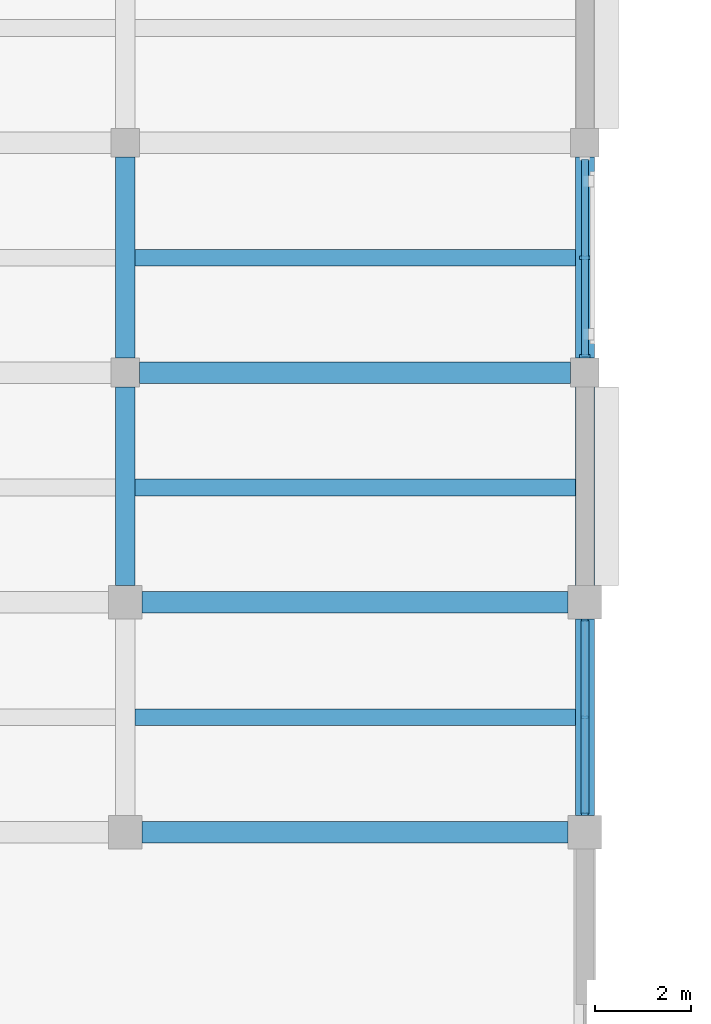
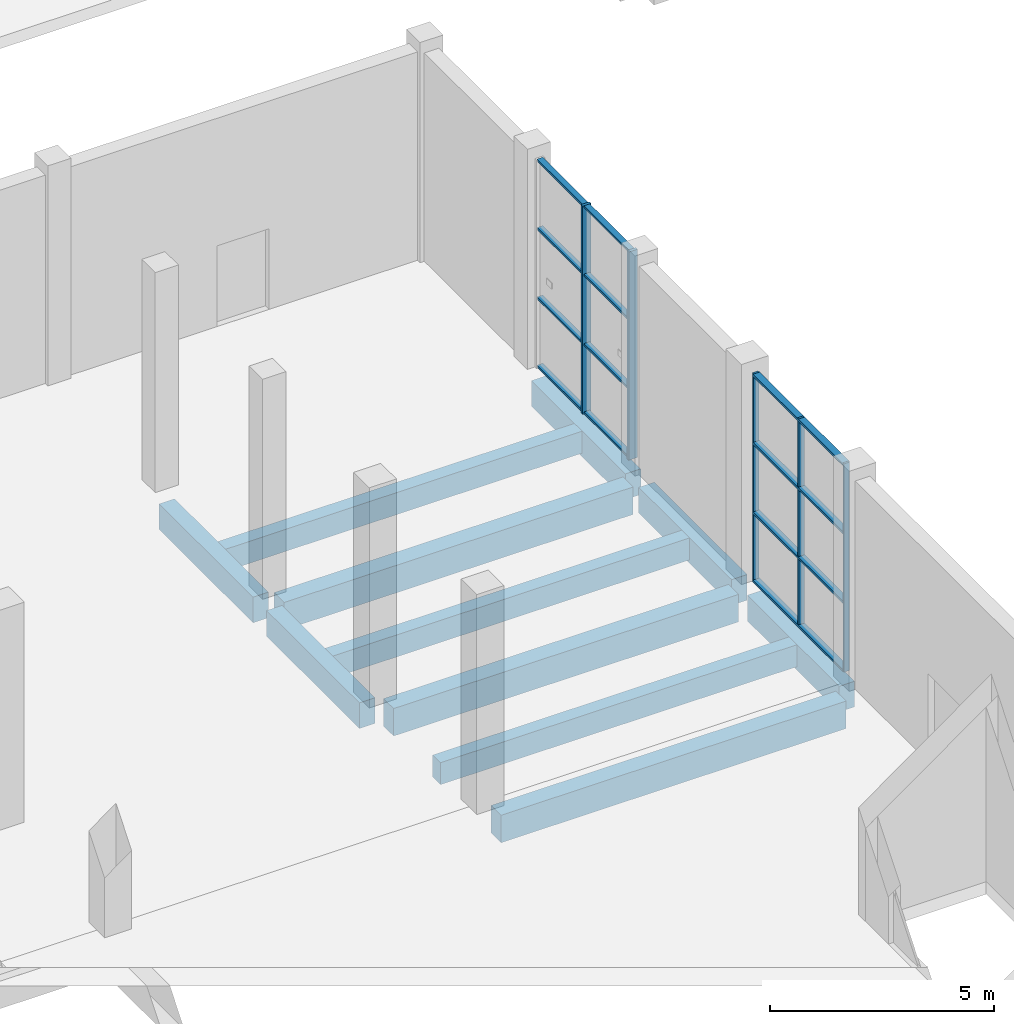
# One storey, part 14 of 84: 13 members, 11 beams, 2 elements without a shape of their own.
"""IFC4 building model written with IfcOpenShell, lengths in metres."""

from ifc_helpers import new_model, si_unit, direction, frame, origin, origin_2d, place, context, subcontext, project, spatial, rectangle, extrude, material, material_profile, profile_set, type_object, element, aggregate, save


model = new_model("IFC4")

# Units and contexts
model_context = context("Model", 3, precision=1e-05, world=origin(), true_north=direction((0.0, 1.0)))
body_context = subcontext(model_context, "Body", "Model", "MODEL_VIEW")
ifc_project = project(units=[si_unit("LENGTHUNIT", "METRE"), si_unit("AREAUNIT", "SQUARE_METRE"), si_unit("VOLUMEUNIT", "CUBIC_METRE"), si_unit("PLANEANGLEUNIT", "RADIAN"), si_unit("MASSUNIT", "GRAM", prefix="KILO")], contexts=[model_context])

# Site, building, storey
site_placement = place(None, origin())
site = spatial("IfcSite", under=ifc_project, at=site_placement, CompositionType="ELEMENT")
building_placement = place(site_placement, origin())
building = spatial("IfcBuilding", under=site, at=building_placement, Name="Shalvenor Court Art Gallery", CompositionType="ELEMENT")
storey_placement = place(building_placement, origin())
storey = spatial("IfcBuildingStorey", under=building, at=storey_placement, Name="L00", CompositionType="ELEMENT", Elevation=0.0)

# Beams
ifc_material_1 = material(Name="Concrete C40/50", Category="concrete")
ifc_material_profile_1 = material_profile(ifc_material_1, rectangle(XDim=0.449951171875, YDim=0.75, at=origin_2d()), Name="RC 450x750")
ifc_profile_set_1 = profile_set([ifc_material_profile_1], Name="Concrete C40/50")
beam_type_1 = type_object("IfcBeamType", Name="B-04", PredefinedType="BEAM", material=ifc_profile_set_1)
for number, where, z_axis, x_axis, name in (
    (1, (115.550048828125, 19.199951171875, -0.715087890625), (1.0, 0.0, 0.0), (0.0, 1.0, 0.0), "L00 Girder BM-L00-B-04-0166"),
    (2, (115.550048828125, 24.0, -0.715087890625), (1.0, 0.0, 0.0), (0.0, 1.0, 0.0), "L00 Girder BM-L00-B-04-0169"),
):
    element("IfcBeam", number, at=place(storey_placement, frame(where, z_axis=z_axis, x_axis=x_axis)), inside=storey, type_object=beam_type_1, Name=name, PredefinedType="BEAM", context=body_context, shape_type="SweptSolid", body=[
        extrude(rectangle(XDim=0.449951171875, YDim=0.75, at=origin_2d()), origin(), (0.0, 0.0, 1.0), 8.89990234375),
    ])
beam_1_placement = place(storey_placement, frame((115.5, 28.800048828125, -0.715087890625), z_axis=(1.0, 0.0, 0.0), x_axis=(0.0, 1.0, 0.0)))
element("IfcBeam", 3, at=beam_1_placement, inside=storey, type_object=beam_type_1, Name="L00 Girder BM-L00-B-04-0179", PredefinedType="BEAM", context=body_context, shape_type="SweptSolid", body=[
    extrude(rectangle(XDim=0.449951171875, YDim=0.75, at=origin_2d()), origin(), (0.0, 0.0, 1.0), 9.0),
])
ifc_material_2 = material(Name="Concrete C40/50", Category="concrete")
ifc_material_profile_2 = material_profile(ifc_material_2, rectangle(XDim=0.39990234375, YDim=0.699951171875, at=origin_2d()), Name="RC 400x700")
ifc_profile_set_2 = profile_set([ifc_material_profile_2], Name="Concrete C40/50")
beam_type_2 = type_object("IfcBeamType", Name="B-05", PredefinedType="BEAM", material=ifc_profile_set_2)
beam_2_placement = place(storey_placement, frame((115.199951171875, 24.35009765625, -0.68994140625), z_axis=(0.0, 1.0, 0.0), x_axis=(-1.0, 0.0, 0.0)))
element("IfcBeam", 4, at=beam_2_placement, inside=storey, type_object=beam_type_2, Name="L00 Girder BM-L00-B-05-0091", PredefinedType="BEAM", context=body_context, shape_type="SweptSolid", body=[
    extrude(rectangle(XDim=0.39990234375, YDim=0.699951171875, at=origin_2d()), origin(), (0.0, 0.0, 1.0), 4.14990234375),
])
beam_3_placement = place(storey_placement, frame((115.199951171875, 29.10009765625, -0.68994140625), z_axis=(0.0, 1.0, 0.0), x_axis=(-1.0, 0.0, 0.0)))
element("IfcBeam", 5, at=beam_3_placement, inside=storey, type_object=beam_type_2, Name="L00 Girder BM-L00-B-05-0092", PredefinedType="BEAM", context=body_context, shape_type="SweptSolid", body=[
    extrude(rectangle(XDim=0.39990234375, YDim=0.699951171875, at=origin_2d()), origin(), (0.0, 0.0, 1.0), 4.199951171875),
])
beam_4_placement = place(storey_placement, frame((124.800048828125, 19.550048828125, -0.68994140625), z_axis=(0.0, 1.0, 0.0), x_axis=(-1.0, 0.0, 0.0)))
element("IfcBeam", 6, at=beam_4_placement, inside=storey, type_object=beam_type_2, Name="L00 Girder BM-L00-B-05-0098", PredefinedType="BEAM", context=body_context, shape_type="SweptSolid", body=[
    extrude(rectangle(XDim=0.39990234375, YDim=0.699951171875, at=origin_2d()), origin(), (0.0, 0.0, 1.0), 4.099853515625),
])
beam_5_placement = place(storey_placement, frame((124.800048828125, 24.35009765625, -0.68994140625), z_axis=(0.0, 1.0, 0.0), x_axis=(-1.0, 0.0, 0.0)))
element("IfcBeam", 7, at=beam_5_placement, inside=storey, type_object=beam_type_2, Name="L00 Girder BM-L00-B-05-0099", PredefinedType="BEAM", context=body_context, shape_type="SweptSolid", body=[
    extrude(rectangle(XDim=0.39990234375, YDim=0.699951171875, at=origin_2d()), origin(), (0.0, 0.0, 1.0), 4.14990234375),
])
beam_6_placement = place(storey_placement, frame((124.800048828125, 29.10009765625, -0.68994140625), z_axis=(0.0, 1.0, 0.0), x_axis=(-1.0, 0.0, 0.0)))
element("IfcBeam", 8, at=beam_6_placement, inside=storey, type_object=beam_type_2, Name="L00 Girder BM-L00-B-05-0100", PredefinedType="BEAM", context=body_context, shape_type="SweptSolid", body=[
    extrude(rectangle(XDim=0.39990234375, YDim=0.699951171875, at=origin_2d()), origin(), (0.0, 0.0, 1.0), 4.199951171875),
])

# Curtain wall, members
ifc_material_3 = material(Name="Anodised aluminium and low-iron glass curtain wall", Category="aluminium")
curtain_wall_type_1 = type_object("IfcCurtainWallType", Name="CW-2x3-42-57-412", PredefinedType="USERDEFINED", material=ifc_material_3)
curtain_wall_1_placement = place(storey_placement, origin())
curtain_wall_1 = element("IfcCurtainWall", 9, at=curtain_wall_1_placement, inside=storey, type_object=curtain_wall_type_1, Name="L00 V3 Curtain Wall CW-L00-090", ObjectType="CURTAIN WALL", PredefinedType="USERDEFINED")
ifc_material_4 = material(Name="Anodised aluminium mullion", Category="aluminium")
ifc_material_profile_3 = material_profile(ifc_material_4, rectangle(XDim=0.074951171875, YDim=0.219970703125, at=origin_2d()), Name="CWM-04")
ifc_profile_set_3 = profile_set([ifc_material_profile_3], Name="Anodised aluminium mullion")
member_type_1 = type_object("IfcMemberType", Name="CWM-04", PredefinedType="MULLION", material=ifc_profile_set_3)
member_1_placement = place(storey_placement, frame((124.800048828125, 31.199951171875, 0.0), z_axis=(0.0, 0.0, 1.0), x_axis=(0.0, -1.0, 0.0)))
member_1 = element("IfcMember", 10, at=member_1_placement, type_object=member_type_1, Name="CW-2x3-42-57-412 mullion 2", PredefinedType="MULLION", context=body_context, shape_type="SweptSolid", body=[
    extrude(rectangle(XDim=0.074951171875, YDim=0.219970703125, at=origin_2d()), origin(), (0.0, 0.0, 1.0), 5.679931640625),
])
member_2_placement = place(storey_placement, frame((124.800048828125, 29.137451171875, 0.0), z_axis=(0.0, 0.0, 1.0), x_axis=(0.0, -1.0, 0.0)))
member_2 = element("IfcMember", 11, at=member_2_placement, type_object=member_type_1, Name="CW-2x3-42-57-412 mullion 3", PredefinedType="MULLION", context=body_context, shape_type="SweptSolid", body=[
    extrude(rectangle(XDim=0.074951171875, YDim=0.219970703125, at=origin_2d()), origin(), (0.0, 0.0, 1.0), 5.679931640625),
])

ifc_material_5 = material(Name="Anodised aluminium and low-iron glass curtain wall", Category="aluminium")
curtain_wall_type_2 = type_object("IfcCurtainWallType", Name="CW-2x3-41-57-622", PredefinedType="USERDEFINED", material=ifc_material_5)
curtain_wall_2_placement = place(storey_placement, origin())
curtain_wall_2 = element("IfcCurtainWall", 12, at=curtain_wall_2_placement, inside=storey, type_object=curtain_wall_type_2, Name="L00 V3 Curtain Wall CW-L00-091", ObjectType="CURTAIN WALL", PredefinedType="USERDEFINED")
ifc_material_6 = material(Name="Anodised aluminium mullion", Category="aluminium")
ifc_material_profile_4 = material_profile(ifc_material_6, rectangle(XDim=0.054931640625, YDim=0.139892578125, at=origin_2d()), Name="CWM-06")
ifc_profile_set_4 = profile_set([ifc_material_profile_4], Name="Anodised aluminium mullion")
member_type_2 = type_object("IfcMemberType", Name="CWM-06", PredefinedType="MULLION", material=ifc_profile_set_4)
member_3_placement = place(storey_placement, frame((124.800048828125, 23.62255859375, 0.0), z_axis=(0.0, 0.0, 1.0), x_axis=(0.0, -1.0, 0.0)))
member_3 = element("IfcMember", 13, at=member_3_placement, type_object=member_type_2, Name="CW-2x3-41-57-622 mullion 1", PredefinedType="MULLION", context=body_context, shape_type="SweptSolid", body=[
    extrude(rectangle(XDim=0.054931640625, YDim=0.139892578125, at=origin_2d()), origin(), (0.0, 0.0, 1.0), 5.679931640625),
])
member_4_placement = place(storey_placement, frame((124.800048828125, 21.60009765625, 0.0), z_axis=(0.0, 0.0, 1.0), x_axis=(0.0, -1.0, 0.0)))
member_4 = element("IfcMember", 14, at=member_4_placement, type_object=member_type_2, Name="CW-2x3-41-57-622 mullion 2", PredefinedType="MULLION", context=body_context, shape_type="SweptSolid", body=[
    extrude(rectangle(XDim=0.054931640625, YDim=0.139892578125, at=origin_2d()), origin(), (0.0, 0.0, 1.0), 5.679931640625),
])
member_5_placement = place(storey_placement, frame((124.800048828125, 19.577392578125, 0.0), z_axis=(0.0, 0.0, 1.0), x_axis=(0.0, -1.0, 0.0)))
member_5 = element("IfcMember", 15, at=member_5_placement, type_object=member_type_2, Name="CW-2x3-41-57-622 mullion 3", PredefinedType="MULLION", context=body_context, shape_type="SweptSolid", body=[
    extrude(rectangle(XDim=0.054931640625, YDim=0.139892578125, at=origin_2d()), origin(), (0.0, 0.0, 1.0), 5.679931640625),
])

# Member
ifc_material_7 = material(Name="Anodised aluminium transom", Category="aluminium")
ifc_material_profile_5 = material_profile(ifc_material_7, rectangle(XDim=0.14990234375, YDim=0.06005859375, at=origin_2d()), Name="CWT-01")
ifc_profile_set_5 = profile_set([ifc_material_profile_5], Name="Anodised aluminium transom")
member_type_3 = type_object("IfcMemberType", Name="CWT-01", PredefinedType="USERDEFINED", material=ifc_profile_set_5)
member_6_placement = place(storey_placement, frame((124.800048828125, 33.262451171875, 0.030029296875), z_axis=(0.0, -1.0, 0.0), x_axis=(1.0, 0.0, 0.0)))
member_6 = element("IfcMember", 16, at=member_6_placement, type_object=member_type_3, Name="CW-2x3-42-57-412 transom 1", ObjectType="TRANSOM", PredefinedType="USERDEFINED", context=body_context, shape_type="SweptSolid", body=[
    extrude(rectangle(XDim=0.14990234375, YDim=0.06005859375, at=origin_2d()), origin(), (0.0, 0.0, 1.0), 4.125),
])

member_7_placement = place(storey_placement, frame((124.800048828125, 33.262451171875, 1.893310546875), z_axis=(0.0, -1.0, 0.0), x_axis=(1.0, 0.0, 0.0)))
member_7 = element("IfcMember", 17, at=member_7_placement, type_object=member_type_3, Name="CW-2x3-42-57-412 transom 2", ObjectType="TRANSOM", PredefinedType="USERDEFINED", context=body_context, shape_type="SweptSolid", body=[
    extrude(rectangle(XDim=0.14990234375, YDim=0.06005859375, at=origin_2d()), origin(), (0.0, 0.0, 1.0), 4.125),
])

member_8_placement = place(storey_placement, frame((124.800048828125, 33.262451171875, 3.78662109375), z_axis=(0.0, -1.0, 0.0), x_axis=(1.0, 0.0, 0.0)))
member_8 = element("IfcMember", 18, at=member_8_placement, type_object=member_type_3, Name="CW-2x3-42-57-412 transom 3", ObjectType="TRANSOM", PredefinedType="USERDEFINED", context=body_context, shape_type="SweptSolid", body=[
    extrude(rectangle(XDim=0.14990234375, YDim=0.06005859375, at=origin_2d()), origin(), (0.0, 0.0, 1.0), 4.125),
])

member_9_placement = place(storey_placement, frame((124.800048828125, 33.262451171875, 5.64990234375), z_axis=(0.0, -1.0, 0.0), x_axis=(1.0, 0.0, 0.0)))
member_9 = element("IfcMember", 19, at=member_9_placement, type_object=member_type_3, Name="CW-2x3-42-57-412 transom 4", ObjectType="TRANSOM", PredefinedType="USERDEFINED", context=body_context, shape_type="SweptSolid", body=[
    extrude(rectangle(XDim=0.14990234375, YDim=0.06005859375, at=origin_2d()), origin(), (0.0, 0.0, 1.0), 4.125),
])

aggregate(curtain_wall_1, [member_1, member_2, member_6, member_7, member_8, member_9])

ifc_material_8 = material(Name="Anodised aluminium transom", Category="aluminium")
ifc_material_profile_6 = material_profile(ifc_material_8, rectangle(XDim=0.169921875, YDim=0.06494140625, at=origin_2d()), Name="CWT-02")
ifc_profile_set_6 = profile_set([ifc_material_profile_6], Name="Anodised aluminium transom")
member_type_4 = type_object("IfcMemberType", Name="CWT-02", PredefinedType="USERDEFINED", material=ifc_profile_set_6)
member_10_placement = place(storey_placement, frame((124.800048828125, 23.62255859375, 0.032470703125), z_axis=(0.0, -1.0, 0.0), x_axis=(1.0, 0.0, 0.0)))
member_10 = element("IfcMember", 20, at=member_10_placement, type_object=member_type_4, Name="CW-2x3-41-57-622 transom 1", ObjectType="TRANSOM", PredefinedType="USERDEFINED", context=body_context, shape_type="SweptSolid", body=[
    extrude(rectangle(XDim=0.169921875, YDim=0.06494140625, at=origin_2d()), origin(), (0.0, 0.0, 1.0), 4.045166015625),
])

member_11_placement = place(storey_placement, frame((124.800048828125, 23.62255859375, 1.893310546875), z_axis=(0.0, -1.0, 0.0), x_axis=(1.0, 0.0, 0.0)))
member_11 = element("IfcMember", 21, at=member_11_placement, type_object=member_type_4, Name="CW-2x3-41-57-622 transom 2", ObjectType="TRANSOM", PredefinedType="USERDEFINED", context=body_context, shape_type="SweptSolid", body=[
    extrude(rectangle(XDim=0.169921875, YDim=0.06494140625, at=origin_2d()), origin(), (0.0, 0.0, 1.0), 4.045166015625),
])

member_12_placement = place(storey_placement, frame((124.800048828125, 23.62255859375, 3.78662109375), z_axis=(0.0, -1.0, 0.0), x_axis=(1.0, 0.0, 0.0)))
member_12 = element("IfcMember", 22, at=member_12_placement, type_object=member_type_4, Name="CW-2x3-41-57-622 transom 3", ObjectType="TRANSOM", PredefinedType="USERDEFINED", context=body_context, shape_type="SweptSolid", body=[
    extrude(rectangle(XDim=0.169921875, YDim=0.06494140625, at=origin_2d()), origin(), (0.0, 0.0, 1.0), 4.045166015625),
])

member_13_placement = place(storey_placement, frame((124.800048828125, 23.62255859375, 5.6474609375), z_axis=(0.0, -1.0, 0.0), x_axis=(1.0, 0.0, 0.0)))
member_13 = element("IfcMember", 23, at=member_13_placement, type_object=member_type_4, Name="CW-2x3-41-57-622 transom 4", ObjectType="TRANSOM", PredefinedType="USERDEFINED", context=body_context, shape_type="SweptSolid", body=[
    extrude(rectangle(XDim=0.169921875, YDim=0.06494140625, at=origin_2d()), origin(), (0.0, 0.0, 1.0), 4.045166015625),
])

aggregate(curtain_wall_2, [member_3, member_4, member_5, member_10, member_11, member_12, member_13])

# Beams
ifc_material_9 = material(Name="Concrete C40/50", Category="concrete")
ifc_material_profile_7 = material_profile(ifc_material_9, rectangle(XDim=0.35009765625, YDim=0.60009765625, at=origin_2d()), Name="RC 350x600")
ifc_profile_set_7 = profile_set([ifc_material_profile_7], Name="Concrete C40/50")
beam_type_3 = type_object("IfcBeamType", Name="J-01", PredefinedType="JOIST", material=ifc_profile_set_7)
for number, where, z_axis, x_axis, name in (
    (24, (115.39990234375, 21.60009765625, -0.639892578125), (1.0, 0.0, 0.0), (0.0, 1.0, 0.0), "L00 Secondary Beam JST-L00-J-01-0332"),
    (25, (115.39990234375, 26.39990234375, -0.639892578125), (1.0, 0.0, 0.0), (0.0, 1.0, 0.0), "L00 Secondary Beam JST-L00-J-01-0333"),
    (26, (115.39990234375, 31.199951171875, -0.639892578125), (1.0, 0.0, 0.0), (0.0, 1.0, 0.0), "L00 Secondary Beam JST-L00-J-01-0334"),
):
    element("IfcBeam", number, at=place(storey_placement, frame(where, z_axis=z_axis, x_axis=x_axis)), inside=storey, type_object=beam_type_3, Name=name, PredefinedType="JOIST", context=body_context, shape_type="SweptSolid", body=[
        extrude(rectangle(XDim=0.35009765625, YDim=0.60009765625, at=origin_2d()), origin(), (0.0, 0.0, 1.0), 9.2001953125),
    ])

save(model, "model.ifc")
